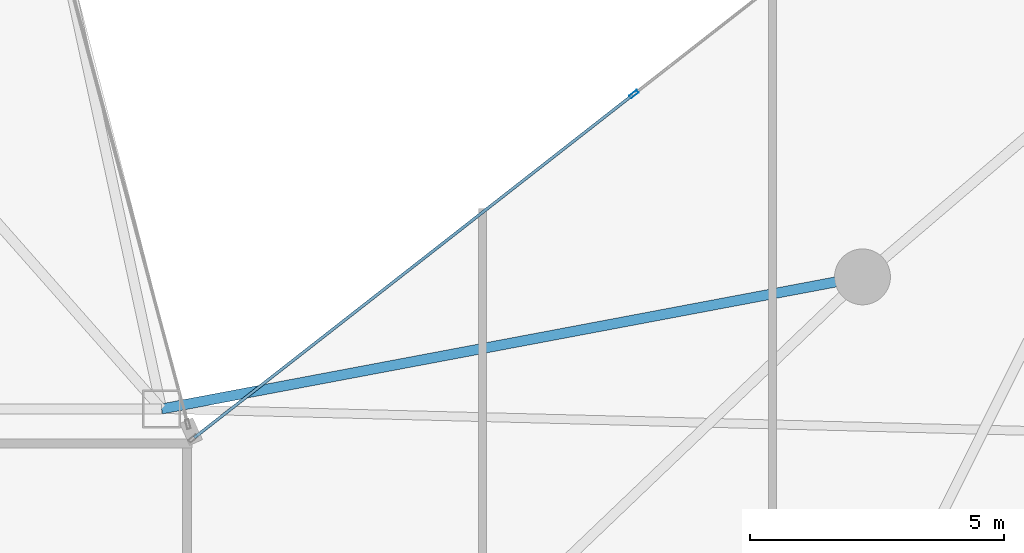
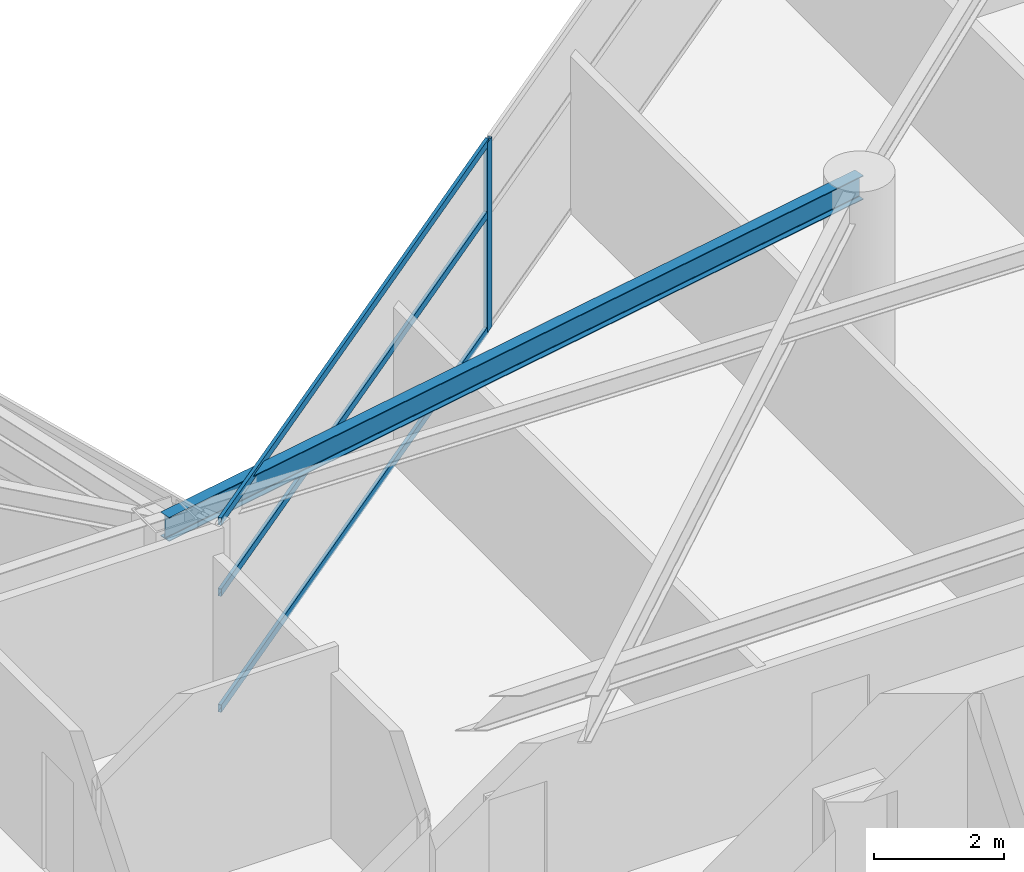
# One storey, part 11 of 29: 4 members, 1 beam, 1 element without a shape of its own.
"""IFC4 building model written with IfcOpenShell, lengths in metres."""

from ifc_helpers import new_model, si_unit, direction, frame, origin, origin_2d, place, context, subcontext, project, spatial, hollow_rectangle, i_section, extrude, material, layer, layer_set, material_profile, profile_set, type_object, element, aggregate, save


model = new_model("IFC4")

# Units and contexts
model_context = context("Model", 3, precision=1e-05, world=origin(), true_north=direction((0.0, 1.0)))
body_context = subcontext(model_context, "Body", "Model", "MODEL_VIEW")
ifc_project = project(units=[si_unit("LENGTHUNIT", "METRE"), si_unit("AREAUNIT", "SQUARE_METRE"), si_unit("VOLUMEUNIT", "CUBIC_METRE"), si_unit("PLANEANGLEUNIT", "RADIAN"), si_unit("MASSUNIT", "GRAM", prefix="KILO")], contexts=[model_context])

# Site, building, storey
site_placement = place(None, origin())
site = spatial("IfcSite", under=ifc_project, at=site_placement, CompositionType="ELEMENT")
building_placement = place(site_placement, origin())
building = spatial("IfcBuilding", under=site, at=building_placement, Name="Calvorn Quay Hotel", CompositionType="ELEMENT")
storey_placement = place(building_placement, frame((0.0, 0.0, 199.60009765625)))
storey = spatial("IfcBuildingStorey", under=building, at=storey_placement, Name="L49", CompositionType="ELEMENT", Elevation=199.60009765625)

# Beam
ifc_material_1 = material(Name="Steel Q355B", Category="steel")
ifc_material_profile_1 = material_profile(ifc_material_1, i_section(OverallWidth=0.199951171875, OverallDepth=0.449951171875, WebThickness=0.009033203125, FlangeThickness=0.013916015625, FilletRadius=0.01611328125, at=origin_2d()), Name="HN450x200x9x14")
ifc_profile_set_1 = profile_set([ifc_material_profile_1], Name="Steel Q355B")
beam_type = type_object("IfcBeamType", Name="BM-SPANDREL-Z3", PredefinedType="SPANDREL", material=ifc_profile_set_1)
beam_placement = place(storey_placement, frame((34.800048828125, 27.60009765625, 3.31494140625), z_axis=(-0.982709432406, -0.185154452988, 0.0), x_axis=(0.185154452988, -0.982709432406, 0.0)))
element("IfcBeam", 1, at=beam_placement, inside=storey, type_object=beam_type, Name="Beam BSP-L49-E4", PredefinedType="SPANDREL", context=body_context, shape_type="SweptSolid", body=[
    extrude(i_section(OverallWidth=0.199951171875, OverallDepth=0.449951171875, WebThickness=0.009033203125, FlangeThickness=0.013916015625, FilletRadius=0.01611328125, at=origin_2d()), origin(), (0.0, 0.0, 1.0), 14.04296875),
])

# Curtain wall, members
ifc_material_2 = material(Name="Champagne Bronze Anodised Aluminium and Low-E Glass", Category="aluminium")
ifc_layer = layer(ifc_material_2, 0.219970703125)
ifc_layer_set = layer_set([ifc_layer], Name="CW-SYS-Z3")
curtain_wall_type = type_object("IfcCurtainWallType", Name="CW-SYS-Z3", PredefinedType="NOTDEFINED", material=ifc_layer_set)
curtain_wall_placement = place(storey_placement, origin())
curtain_wall = element("IfcCurtainWall", 2, at=curtain_wall_placement, inside=storey, type_object=curtain_wall_type, Name="Inner Court Curtain Wall L49-NE1", PredefinedType="NOTDEFINED")
ifc_material_3 = material(Name="Champagne Bronze Anodised Aluminium 6063-T6", Category="aluminium")
ifc_material_profile_2 = material_profile(ifc_material_3, hollow_rectangle(XDim=0.068115234375, YDim=0.18505859375, WallThickness=0.00390625, at=origin_2d()), Name="ALU-M185x68x4")
ifc_profile_set_2 = profile_set([ifc_material_profile_2], Name="Champagne Bronze Anodised Aluminium 6063-T6")
member_type_1 = type_object("IfcMemberType", Name="CW-SYS-Z3-MUL", PredefinedType="MULLION", material=ifc_profile_set_2)
member_1_placement = place(storey_placement, frame((30.300048828125, 31.199951171875, 0.0), z_axis=(0.0, 0.0, 1.0), x_axis=(0.615819768044, -0.787887056174, 0.0)))
member_1 = element("IfcMember", 3, at=member_1_placement, type_object=member_type_1, Name="CW-L49-NE1 mullion 2", PredefinedType="MULLION", context=body_context, shape_type="SweptSolid", body=[
    extrude(hollow_rectangle(XDim=0.068115234375, YDim=0.18505859375, WallThickness=0.00390625, at=origin_2d()), origin(), (0.0, 0.0, 1.0), 3.559814453125),
])
ifc_material_4 = material(Name="Champagne Bronze Anodised Aluminium 6063-T6", Category="aluminium")
ifc_material_profile_3 = material_profile(ifc_material_4, hollow_rectangle(XDim=0.05810546875, YDim=0.139892578125, WallThickness=0.003173828125, at=origin_2d()), Name="ALU-T140x58x3.2")
ifc_profile_set_3 = profile_set([ifc_material_profile_3], Name="Champagne Bronze Anodised Aluminium 6063-T6")
member_type_2 = type_object("IfcMemberType", Name="CW-SYS-Z3-TRN", PredefinedType="USERDEFINED", material=ifc_profile_set_3)
member_2_placement = place(storey_placement, frame((30.2763671875, 31.181640625, 0.02978515625), z_axis=(-0.787886807538, -0.615820086152, 0.0), x_axis=(0.615820086152, -0.787886807538, 0.0)))
member_2 = element("IfcMember", 4, at=member_2_placement, type_object=member_type_2, Name="CW-L49-NE1 transom 2.1", ObjectType="TRANSOM", PredefinedType="USERDEFINED", context=body_context, shape_type="SweptSolid", body=[
    extrude(hollow_rectangle(XDim=0.05810546875, YDim=0.139892578125, WallThickness=0.003173828125, at=origin_2d()), origin(), (0.0, 0.0, 1.0), 10.952392578125),
])
member_3_placement = place(storey_placement, frame((30.2763671875, 31.181640625, 2.199951171875), z_axis=(-0.787886807538, -0.615820086152, 0.0), x_axis=(0.615820086152, -0.787886807538, 0.0)))
member_3 = element("IfcMember", 5, at=member_3_placement, type_object=member_type_2, Name="CW-L49-NE1 transom 2.2", ObjectType="TRANSOM", PredefinedType="USERDEFINED", context=body_context, shape_type="SweptSolid", body=[
    extrude(hollow_rectangle(XDim=0.05810546875, YDim=0.139892578125, WallThickness=0.003173828125, at=origin_2d()), origin(), (0.0, 0.0, 1.0), 10.952392578125),
])
member_4_placement = place(storey_placement, frame((30.2763671875, 31.181640625, 3.52978515625), z_axis=(-0.787886807538, -0.615820086152, 0.0), x_axis=(0.615820086152, -0.787886807538, 0.0)))
member_4 = element("IfcMember", 6, at=member_4_placement, type_object=member_type_2, Name="CW-L49-NE1 transom 2.3", ObjectType="TRANSOM", PredefinedType="USERDEFINED", context=body_context, shape_type="SweptSolid", body=[
    extrude(hollow_rectangle(XDim=0.05810546875, YDim=0.139892578125, WallThickness=0.003173828125, at=origin_2d()), origin(), (0.0, 0.0, 1.0), 10.952392578125),
])
aggregate(curtain_wall, [member_1, member_2, member_3, member_4])

save(model, "model.ifc")
